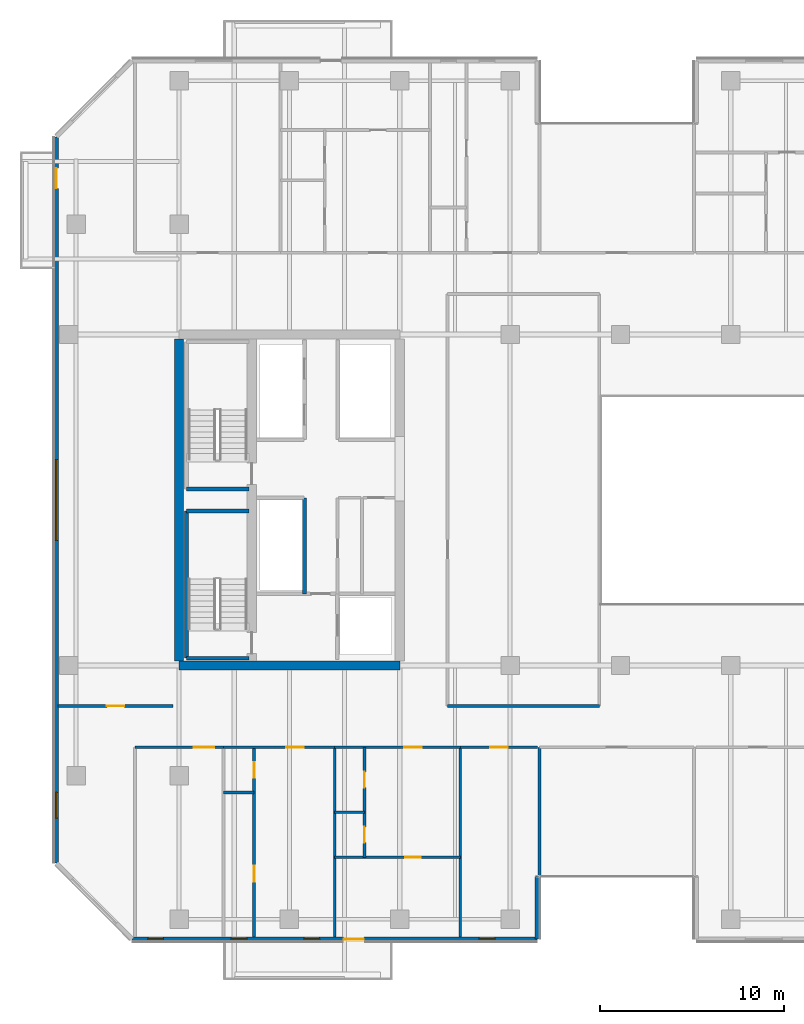
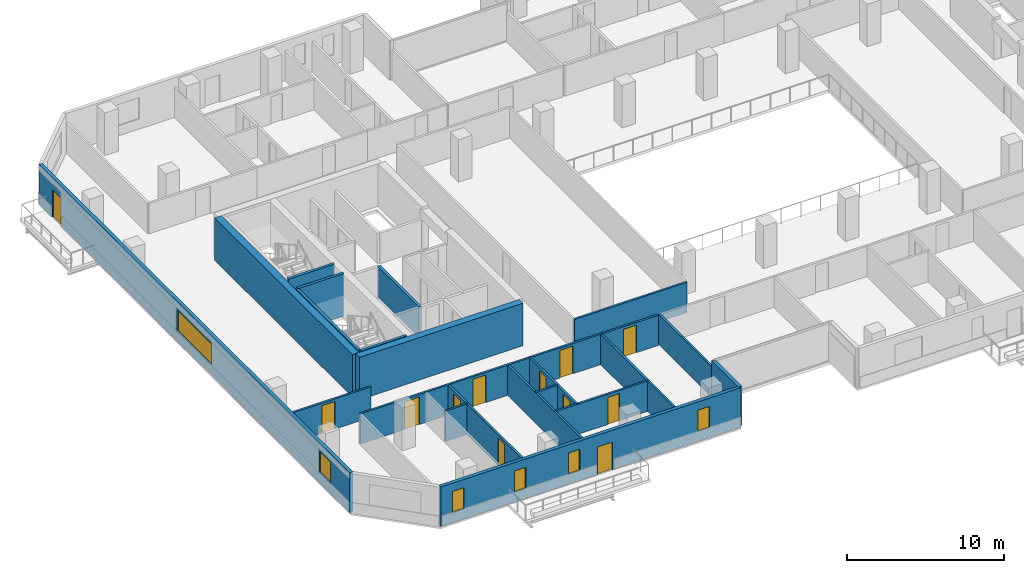
# One storey, part 10 of 23: 24 walls, 12 doors, 6 windows, 18 openings.
"""IFC4 building model written with IfcOpenShell, lengths in metres."""

from ifc_helpers import new_model, si_unit, direction, frame, frame_2d, origin, place, context, subcontext, project, spatial, rectangle, extrude, material, layer, layer_set, type_object, element, fill, save


model = new_model("IFC4")

# Units and contexts
model_context = context("Model", 3, precision=1e-05, world=origin(), true_north=direction((0.0, 1.0)))
body_context = subcontext(model_context, "Body", "Model", "MODEL_VIEW")
ifc_project = project(units=[si_unit("LENGTHUNIT", "METRE"), si_unit("AREAUNIT", "SQUARE_METRE"), si_unit("VOLUMEUNIT", "CUBIC_METRE"), si_unit("PLANEANGLEUNIT", "RADIAN"), si_unit("MASSUNIT", "GRAM", prefix="KILO")], contexts=[model_context])

# Site, building, storey
site_placement = place(None, origin())
site = spatial("IfcSite", under=ifc_project, at=site_placement, CompositionType="ELEMENT")
building_placement = place(site_placement, origin())
building = spatial("IfcBuilding", under=site, at=building_placement, Name="Tanjung Sevakor Pilgrim Tower", CompositionType="ELEMENT")
storey_placement = place(building_placement, frame((0.0, 0.0, 82.169921875)))
storey = spatial("IfcBuildingStorey", under=building, at=storey_placement, Name="L22", CompositionType="ELEMENT", Elevation=82.169921875)

# Walls
ifc_material_1 = material(Name="Concrete C60/75", Category="concrete")
ifc_layer_1 = layer(ifc_material_1, 0.5)
ifc_layer_set_1 = layer_set([ifc_layer_1], Name="WALL-CW-500")
wall_type_1 = type_object("IfcWallType", Name="WALL-CW-500", PredefinedType="SHEAR", material=ifc_layer_set_1)
wall_1_placement = place(storey_placement, frame((24.0, 24.60009765625, 0.0), z_axis=(0.0, 0.0, 1.0), x_axis=(1.0, 0.0, 0.0)))
element("IfcWall", 1, at=wall_1_placement, inside=storey, type_object=wall_type_1, Name="L22 W Core South Shear Wall", PredefinedType="SHEAR", context=body_context, shape_type="SweptSolid", body=[
    extrude(rectangle(XDim=12.0, YDim=0.5, at=frame_2d((6.0, 0.0))), origin(), (0.0, 0.0, 1.0), 3.300048828125),
])
wall_2_placement = place(storey_placement, frame((24.0, 24.85009765625, 0.0), z_axis=(0.0, 0.0, 1.0), x_axis=(0.0, 1.0, 0.0)))
element("IfcWall", 2, at=wall_2_placement, inside=storey, type_object=wall_type_1, Name="L22 W Core Outer Shear Wall", PredefinedType="SHEAR", context=body_context, shape_type="SweptSolid", body=[
    extrude(rectangle(XDim=17.5, YDim=0.5, at=frame_2d((8.75, 0.0))), origin(), (0.0, 0.0, 1.0), 3.300048828125),
])
ifc_material_2 = material(Name="Concrete C40/50", Category="concrete")
ifc_layer_2 = layer(ifc_material_2, 0.14990234375)
ifc_layer_set_2 = layer_set([ifc_layer_2], Name="WT-COMP-150")
wall_type_2 = type_object("IfcWallType", Name="WT-COMP-150", PredefinedType="SOLIDWALL", material=ifc_layer_set_2)
wall_3_placement = place(storey_placement, frame((38.60009765625, 22.39990234375, 0.0), z_axis=(0.0, 0.0, 1.0), x_axis=(1.0, 0.0, 0.0)))
element("IfcWall", 3, at=wall_3_placement, inside=storey, type_object=wall_type_2, Name="L22 Partition IW-L22-025", PredefinedType="SOLIDWALL", context=body_context, shape_type="SweptSolid", body=[
    extrude(rectangle(XDim=8.25, YDim=0.14990234375, at=frame_2d((4.125, 0.0))), origin(), (0.0, 0.0, 1.0), 2.35009765625),
])

# Wall, opening, door
wall_4_placement = place(storey_placement, frame((17.409912109375, 22.39990234375, 0.0), z_axis=(0.0, 0.0, 1.0), x_axis=(1.0, 0.0, 0.0)))
wall_4 = element("IfcWall", 4, at=wall_4_placement, inside=storey, type_object=wall_type_2, Name="L22 Partition IW-L22-033", PredefinedType="SOLIDWALL", context=body_context, shape_type="SweptSolid", body=[
    extrude(rectangle(XDim=6.27001953125, YDim=0.14990234375, at=frame_2d((3.135009765625, 0.0))), origin(), (0.0, 0.0, 1.0), 2.35009765625),
])
opening_1_placement = place(wall_4_placement, frame((2.659912109375, 0.0, 0.0)))
opening_1 = element("IfcOpeningElement", 5, at=opening_1_placement, cuts=wall_4, Name="Opening ID-FD2", PredefinedType="OPENING", context=body_context, shape_type="SweptSolid", body=[
    extrude(rectangle(XDim=0.949951171875, YDim=2.14990234375, at=frame_2d((0.47509765625, 1.074951171875))), frame((0.0, 0.0849609375, 0.0), z_axis=(0.0, -1.0, 0.0), x_axis=(1.0, 0.0, 0.0)), (0.0, 0.0, 1.0), 0.169921875),
])
ifc_material_3 = material(Name="Fire-Rated Timber", Category="wood")
door_type_1 = type_object("IfcDoorType", Name="DT-FIRE-950", OperationType="NOTDEFINED", PredefinedType="DOOR", material=ifc_material_3)
door_1_placement = place(opening_1_placement, origin())
door_1 = element("IfcDoor", 6, at=door_1_placement, inside=storey, type_object=door_type_1, Name="Study Room Entrance", OperationType="SINGLE_SWING_LEFT", OverallHeight=2.14990234375, OverallWidth=0.949951171875, PredefinedType="DOOR", context=body_context, shape_type="SweptSolid", body=[
    extrude(rectangle(XDim=0.949951171875, YDim=2.14990234375, at=frame_2d((0.47509765625, 1.074951171875))), frame((0.0, 0.02490234375, 0.0), z_axis=(0.0, -1.0, 0.0), x_axis=(1.0, 0.0, 0.0)), (0.0, 0.0, 1.0), 0.050048828125),
])
fill(opening_1, door_1)

# Wall
wall_5_placement = place(storey_placement, frame((43.60009765625, 9.85009765625, 0.0), z_axis=(0.0, 0.0, 1.0), x_axis=(0.0, 1.0, 0.0)))
element("IfcWall", 7, at=wall_5_placement, inside=storey, type_object=wall_type_2, Name="L22 Partition IW-L22-042", PredefinedType="SOLIDWALL", context=body_context, shape_type="SweptSolid", body=[
    extrude(rectangle(XDim=10.2998046875, YDim=0.14990234375, at=frame_2d((5.14990234375, 0.0))), origin(), (0.0, 0.0, 1.0), 2.35009765625),
])

# Wall, opening, door
wall_6_placement = place(storey_placement, frame((21.60009765625, 20.14990234375, 0.0), z_axis=(0.0, 0.0, 1.0), x_axis=(1.0, 0.0, 0.0)))
wall_6 = element("IfcWall", 8, at=wall_6_placement, inside=storey, type_object=wall_type_2, Name="L22 Partition IW-L22-049", PredefinedType="SOLIDWALL", context=body_context, shape_type="SweptSolid", body=[
    extrude(rectangle(XDim=4.810302734375, YDim=0.14990234375, at=frame_2d((2.4052734375, 0.0))), origin(), (0.0, 0.0, 1.0), 2.35009765625),
])
opening_2_placement = place(wall_6_placement, frame((3.205078125, 0.0, 0.0)))
opening_2 = element("IfcOpeningElement", 9, at=opening_2_placement, cuts=wall_6, Name="Opening ID-FD0", PredefinedType="OPENING", context=body_context, shape_type="SweptSolid", body=[
    extrude(rectangle(XDim=1.10009765625, YDim=2.14990234375, at=frame_2d((0.550048828125, 1.074951171875))), frame((0.0, 0.0849609375, 0.0), z_axis=(0.0, -1.0, 0.0), x_axis=(1.0, 0.0, 0.0)), (0.0, 0.0, 1.0), 0.169921875),
])
ifc_material_4 = material(Name="Fire-Rated Steel S355J2", Category="steel")
door_type_2 = type_object("IfcDoorType", Name="DT-FIRE-1100", OperationType="NOTDEFINED", PredefinedType="DOOR", material=ifc_material_4)
door_2_placement = place(opening_2_placement, origin())
door_2 = element("IfcDoor", 10, at=door_2_placement, inside=storey, type_object=door_type_2, Name="Communal Lounge Door", OperationType="SINGLE_SWING_LEFT", OverallHeight=2.14990234375, OverallWidth=1.10009765625, PredefinedType="DOOR", context=body_context, shape_type="SweptSolid", body=[
    extrude(rectangle(XDim=1.10009765625, YDim=2.14990234375, at=frame_2d((0.550048828125, 1.074951171875))), frame((0.0, 0.02490234375, 0.0), z_axis=(0.0, -1.0, 0.0), x_axis=(1.0, 0.0, 0.0)), (0.0, 0.0, 1.0), 0.050048828125),
])
fill(opening_2, door_2)

# Wall
wall_7_placement = place(storey_placement, frame((32.46240234375, 9.85009765625, 0.0), z_axis=(0.0, 0.0, 1.0), x_axis=(0.0, 1.0, 0.0)))
element("IfcWall", 11, at=wall_7_placement, inside=storey, type_object=wall_type_2, Name="L22 Partition IW-L22-050", PredefinedType="SOLIDWALL", context=body_context, shape_type="SweptSolid", body=[
    extrude(rectangle(XDim=10.2998046875, YDim=0.14990234375, at=frame_2d((5.14990234375, 0.0))), origin(), (0.0, 0.0, 1.0), 2.35009765625),
])

# Wall, opening, door
wall_8_placement = place(storey_placement, frame((26.410400390625, 20.14990234375, 0.0), z_axis=(0.0, 0.0, 1.0), x_axis=(1.0, 0.0, 0.0)))
wall_8 = element("IfcWall", 12, at=wall_8_placement, inside=storey, type_object=wall_type_2, Name="L22 Partition IW-L22-053", PredefinedType="SOLIDWALL", context=body_context, shape_type="SweptSolid", body=[
    extrude(rectangle(XDim=6.052001953125, YDim=0.14990234375, at=frame_2d((3.02587890625, 0.0))), origin(), (0.0, 0.0, 1.0), 2.35009765625),
])
opening_3_placement = place(wall_8_placement, frame((3.42578125, 0.0, 0.0)))
opening_3 = element("IfcOpeningElement", 13, at=opening_3_placement, cuts=wall_8, Name="Opening ID-FD2", PredefinedType="OPENING", context=body_context, shape_type="SweptSolid", body=[
    extrude(rectangle(XDim=0.949951171875, YDim=2.14990234375, at=frame_2d((0.47509765625, 1.074951171875))), frame((0.0, 0.0849609375, 0.0), z_axis=(0.0, -1.0, 0.0), x_axis=(1.0, 0.0, 0.0)), (0.0, 0.0, 1.0), 0.169921875),
])
door_3_placement = place(opening_3_placement, origin())
door_3 = element("IfcDoor", 14, at=door_3_placement, inside=storey, type_object=door_type_1, Name="Hostel Quad Entrance", OperationType="SINGLE_SWING_RIGHT", OverallHeight=2.14990234375, OverallWidth=0.949951171875, PredefinedType="DOOR", context=body_context, shape_type="SweptSolid", body=[
    extrude(rectangle(XDim=0.949951171875, YDim=2.14990234375, at=frame_2d((0.47509765625, 1.074951171875))), frame((0.0, 0.02490234375, 0.0), z_axis=(0.0, -1.0, 0.0), x_axis=(1.0, 0.0, 0.0)), (0.0, 0.0, 1.0), 0.050048828125),
])
fill(opening_3, door_3)

# Wall
wall_9_placement = place(storey_placement, frame((39.290283203125, 9.85009765625, 0.0), z_axis=(0.0, 0.0, 1.0), x_axis=(0.0, 1.0, 0.0)))
element("IfcWall", 15, at=wall_9_placement, inside=storey, type_object=wall_type_2, Name="L22 Partition IW-L22-054", PredefinedType="SOLIDWALL", context=body_context, shape_type="SweptSolid", body=[
    extrude(rectangle(XDim=10.2998046875, YDim=0.14990234375, at=frame_2d((5.14990234375, 0.0))), origin(), (0.0, 0.0, 1.0), 2.35009765625),
])

# Wall, opening, door
wall_10_placement = place(storey_placement, frame((32.46240234375, 20.14990234375, 0.0), z_axis=(0.0, 0.0, 1.0), x_axis=(1.0, 0.0, 0.0)))
wall_10 = element("IfcWall", 16, at=wall_10_placement, inside=storey, type_object=wall_type_2, Name="L22 Partition IW-L22-058", PredefinedType="SOLIDWALL", context=body_context, shape_type="SweptSolid", body=[
    extrude(rectangle(XDim=6.827880859375, YDim=0.14990234375, at=frame_2d((3.4140625, 0.0))), origin(), (0.0, 0.0, 1.0), 2.35009765625),
])
opening_4_placement = place(wall_10_placement, frame((3.78759765625, 0.0, 0.0)))
opening_4 = element("IfcOpeningElement", 17, at=opening_4_placement, cuts=wall_10, Name="Opening ID-FD2", PredefinedType="OPENING", context=body_context, shape_type="SweptSolid", body=[
    extrude(rectangle(XDim=0.949951171875, YDim=2.14990234375, at=frame_2d((0.47509765625, 1.074951171875))), frame((0.0, 0.0849609375, 0.0), z_axis=(0.0, -1.0, 0.0), x_axis=(1.0, 0.0, 0.0)), (0.0, 0.0, 1.0), 0.169921875),
])
door_4_placement = place(opening_4_placement, origin())
door_4 = element("IfcDoor", 18, at=door_4_placement, inside=storey, type_object=door_type_1, Name="Residence Entrance", OperationType="SINGLE_SWING_RIGHT", OverallHeight=2.14990234375, OverallWidth=0.949951171875, PredefinedType="DOOR", context=body_context, shape_type="SweptSolid", body=[
    extrude(rectangle(XDim=0.949951171875, YDim=2.14990234375, at=frame_2d((0.47509765625, 1.074951171875))), frame((0.0, 0.02490234375, 0.0), z_axis=(0.0, -1.0, 0.0), x_axis=(1.0, 0.0, 0.0)), (0.0, 0.0, 1.0), 0.050048828125),
])
fill(opening_4, door_4)

wall_11_placement = place(storey_placement, frame((39.290283203125, 20.14990234375, 0.0), z_axis=(0.0, 0.0, 1.0), x_axis=(1.0, 0.0, 0.0)))
wall_11 = element("IfcWall", 19, at=wall_11_placement, inside=storey, type_object=wall_type_2, Name="L22 Partition IW-L22-059", PredefinedType="SOLIDWALL", context=body_context, shape_type="SweptSolid", body=[
    extrude(rectangle(XDim=4.189697265625, YDim=0.14990234375, at=frame_2d((2.0947265625, 0.0))), origin(), (0.0, 0.0, 1.0), 2.35009765625),
])
opening_5_placement = place(wall_11_placement, frame((1.619873046875, 0.0, 0.0)))
opening_5 = element("IfcOpeningElement", 20, at=opening_5_placement, cuts=wall_11, Name="Opening ID-FD2", PredefinedType="OPENING", context=body_context, shape_type="SweptSolid", body=[
    extrude(rectangle(XDim=0.949951171875, YDim=2.14990234375, at=frame_2d((0.47509765625, 1.074951171875))), frame((0.0, 0.0849609375, 0.0), z_axis=(0.0, -1.0, 0.0), x_axis=(1.0, 0.0, 0.0)), (0.0, 0.0, 1.0), 0.169921875),
])
door_5_placement = place(opening_5_placement, origin())
door_5 = element("IfcDoor", 21, at=door_5_placement, inside=storey, type_object=door_type_1, Name="Study Room Entrance", OperationType="SINGLE_SWING_LEFT", OverallHeight=2.14990234375, OverallWidth=0.949951171875, PredefinedType="DOOR", context=body_context, shape_type="SweptSolid", body=[
    extrude(rectangle(XDim=0.949951171875, YDim=2.14990234375, at=frame_2d((0.47509765625, 1.074951171875))), frame((0.0, 0.02490234375, 0.0), z_axis=(0.0, -1.0, 0.0), x_axis=(1.0, 0.0, 0.0)), (0.0, 0.0, 1.0), 0.050048828125),
])
fill(opening_5, door_5)

# Wall, openings, door, windows
ifc_material_5 = material(Name="Precast concrete C45/55", Category="concrete")
ifc_layer_3 = layer(ifc_material_5, 0.25)
ifc_layer_set_3 = layer_set([ifc_layer_3], Name="WT-EW-STN3")
wall_type_3 = type_object("IfcWallType", Name="WT-EW-STN3", PredefinedType="SOLIDWALL", material=ifc_layer_set_3)
wall_12_placement = place(storey_placement, frame((21.451904296875, 9.72509765625, 0.0), z_axis=(0.0, 0.0, 1.0), x_axis=(1.0, 0.0, 0.0)))
wall_12 = element("IfcWall", 22, at=wall_12_placement, inside=storey, type_object=wall_type_3, Name="L22 MAIN Exterior Wall 1", PredefinedType="SOLIDWALL", context=body_context, shape_type="SweptSolid", body=[
    extrude(rectangle(XDim=22.023193359375, YDim=0.25, at=frame_2d((11.01171875, 0.0))), origin(), (0.0, 0.0, 1.0), 3.080078125),
])
opening_6_placement = place(wall_12_placement, frame((11.498291015625, 0.0, 0.0)))
opening_6 = element("IfcOpeningElement", 23, at=opening_6_placement, cuts=wall_12, Name="Opening ED-BAL-1100", PredefinedType="OPENING", context=body_context, shape_type="SweptSolid", body=[
    extrude(rectangle(XDim=1.10009765625, YDim=2.14990234375, at=frame_2d((0.550048828125, 1.074951171875))), frame((0.0, 0.135009765625, 0.0), z_axis=(0.0, -1.0, 0.0), x_axis=(1.0, 0.0, 0.0)), (0.0, 0.0, 1.0), 0.27001953125),
])
opening_7_placement = place(wall_12_placement, frame((0.848388671875, 0.0, 0.780029296875)))
opening_7 = element("IfcOpeningElement", 24, at=opening_7_placement, cuts=wall_12, Name="Opening WN-SLM", PredefinedType="OPENING", context=body_context, shape_type="SweptSolid", body=[
    extrude(rectangle(XDim=0.85009765625, YDim=1.64990234375, at=frame_2d((0.425048828125, 0.824951171875))), frame((0.0, 0.135009765625, 0.0), z_axis=(0.0, -1.0, 0.0), x_axis=(1.0, 0.0, 0.0)), (0.0, 0.0, 1.0), 0.27001953125),
])
opening_8_placement = place(wall_12_placement, frame((5.37841796875, 0.0, 0.780029296875)))
opening_8 = element("IfcOpeningElement", 25, at=opening_8_placement, cuts=wall_12, Name="Opening WN-SLM", PredefinedType="OPENING", context=body_context, shape_type="SweptSolid", body=[
    extrude(rectangle(XDim=0.85009765625, YDim=1.64990234375, at=frame_2d((0.425048828125, 0.824951171875))), frame((0.0, 0.135009765625, 0.0), z_axis=(0.0, -1.0, 0.0), x_axis=(1.0, 0.0, 0.0)), (0.0, 0.0, 1.0), 0.27001953125),
])
opening_9_placement = place(wall_12_placement, frame((9.344482421875, 0.0, 0.780029296875)))
opening_9 = element("IfcOpeningElement", 26, at=opening_9_placement, cuts=wall_12, Name="Opening WN-SLM", PredefinedType="OPENING", context=body_context, shape_type="SweptSolid", body=[
    extrude(rectangle(XDim=0.85009765625, YDim=1.64990234375, at=frame_2d((0.425048828125, 0.824951171875))), frame((0.0, 0.135009765625, 0.0), z_axis=(0.0, -1.0, 0.0), x_axis=(1.0, 0.0, 0.0)), (0.0, 0.0, 1.0), 0.27001953125),
])
opening_10_placement = place(wall_12_placement, frame((18.868408203125, 0.0, 0.780029296875)))
opening_10 = element("IfcOpeningElement", 27, at=opening_10_placement, cuts=wall_12, Name="Opening WN-SLM", PredefinedType="OPENING", context=body_context, shape_type="SweptSolid", body=[
    extrude(rectangle(XDim=0.85009765625, YDim=1.64990234375, at=frame_2d((0.425048828125, 0.824951171875))), frame((0.0, 0.135009765625, 0.0), z_axis=(0.0, -1.0, 0.0), x_axis=(1.0, 0.0, 0.0)), (0.0, 0.0, 1.0), 0.27001953125),
])
ifc_material_6 = material(Name="Anodised Aluminium and Laminated Glass", Category="aluminium")
door_type_3 = type_object("IfcDoorType", Name="DTYP-ED-BAL-1100", OperationType="NOTDEFINED", PredefinedType="DOOR", material=ifc_material_6)
door_6_placement = place(opening_6_placement, frame((1.10009765625, 0.0, 0.0), z_axis=(0.0, 0.0, 1.0), x_axis=(-1.0, 0.0, 0.0)))
door_6 = element("IfcDoor", 28, at=door_6_placement, inside=storey, type_object=door_type_3, Name="L22 Balcony Door MAIN-S1", OperationType="SINGLE_SWING_RIGHT", OverallHeight=2.14990234375, OverallWidth=1.10009765625, PredefinedType="DOOR", context=body_context, shape_type="SweptSolid", body=[
    extrude(rectangle(XDim=1.10009765625, YDim=2.14990234375, at=frame_2d((0.550048828125, 1.074951171875))), frame((0.0, 0.02490234375, 0.0), z_axis=(0.0, -1.0, 0.0), x_axis=(1.0, 0.0, 0.0)), (0.0, 0.0, 1.0), 0.050048828125),
])
fill(opening_6, door_6)
ifc_material_7 = material(Name="Thermally Broken Aluminium and Low-E Glass", Category="aluminium")
window_type_1 = type_object("IfcWindowType", Name="WTYP-WN-SLM", PartitioningType="SINGLE_PANEL", PredefinedType="WINDOW", material=ifc_material_7)
window_1_placement = place(opening_7_placement, origin())
window_1 = element("IfcWindow", 29, at=window_1_placement, inside=storey, type_object=window_type_1, Name="L22 Facade Window 01", OverallHeight=1.64990234375, OverallWidth=0.85009765625, PartitioningType="SINGLE_PANEL", PredefinedType="WINDOW", context=body_context, shape_type="SweptSolid", body=[
    extrude(rectangle(XDim=0.85009765625, YDim=1.64990234375, at=frame_2d((0.425048828125, 0.824951171875))), frame((0.0, 0.030029296875, 0.0), z_axis=(0.0, -1.0, 0.0), x_axis=(1.0, 0.0, 0.0)), (0.0, 0.0, 1.0), 0.06005859375),
])
fill(opening_7, window_1)
window_2_placement = place(opening_8_placement, origin())
window_2 = element("IfcWindow", 30, at=window_2_placement, inside=storey, type_object=window_type_1, Name="L22 Facade Window 02", OverallHeight=1.64990234375, OverallWidth=0.85009765625, PartitioningType="SINGLE_PANEL", PredefinedType="WINDOW", context=body_context, shape_type="SweptSolid", body=[
    extrude(rectangle(XDim=0.85009765625, YDim=1.64990234375, at=frame_2d((0.425048828125, 0.824951171875))), frame((0.0, 0.030029296875, 0.0), z_axis=(0.0, -1.0, 0.0), x_axis=(1.0, 0.0, 0.0)), (0.0, 0.0, 1.0), 0.06005859375),
])
fill(opening_8, window_2)
window_3_placement = place(opening_9_placement, origin())
window_3 = element("IfcWindow", 31, at=window_3_placement, inside=storey, type_object=window_type_1, Name="L22 Facade Window 03", OverallHeight=1.64990234375, OverallWidth=0.85009765625, PartitioningType="SINGLE_PANEL", PredefinedType="WINDOW", context=body_context, shape_type="SweptSolid", body=[
    extrude(rectangle(XDim=0.85009765625, YDim=1.64990234375, at=frame_2d((0.425048828125, 0.824951171875))), frame((0.0, 0.030029296875, 0.0), z_axis=(0.0, -1.0, 0.0), x_axis=(1.0, 0.0, 0.0)), (0.0, 0.0, 1.0), 0.06005859375),
])
fill(opening_9, window_3)
window_4_placement = place(opening_10_placement, origin())
window_4 = element("IfcWindow", 32, at=window_4_placement, inside=storey, type_object=window_type_1, Name="L22 Facade Window 04", OverallHeight=1.64990234375, OverallWidth=0.85009765625, PartitioningType="SINGLE_PANEL", PredefinedType="WINDOW", context=body_context, shape_type="SweptSolid", body=[
    extrude(rectangle(XDim=0.85009765625, YDim=1.64990234375, at=frame_2d((0.425048828125, 0.824951171875))), frame((0.0, 0.030029296875, 0.0), z_axis=(0.0, -1.0, 0.0), x_axis=(1.0, 0.0, 0.0)), (0.0, 0.0, 1.0), 0.06005859375),
])
fill(opening_10, window_4)

# Wall
wall_13_placement = place(storey_placement, frame((43.47509765625, 9.72509765625, 0.0), z_axis=(0.0, 0.0, 1.0), x_axis=(0.0, 1.0, 0.0)))
element("IfcWall", 33, at=wall_13_placement, inside=storey, type_object=wall_type_3, Name="L22 MAIN Exterior Wall 2", PredefinedType="SOLIDWALL", context=body_context, shape_type="SweptSolid", body=[
    extrude(rectangle(XDim=3.39990234375, YDim=0.25, at=frame_2d((1.699951171875, 0.0))), origin(), (0.0, 0.0, 1.0), 3.080078125),
])

# Wall, openings, door, windows
wall_14_placement = place(storey_placement, frame((17.324951171875, 53.34814453125, 0.0), z_axis=(0.0, 0.0, 1.0), x_axis=(0.0, -1.0, 0.0)))
wall_14 = element("IfcWall", 34, at=wall_14_placement, inside=storey, type_object=wall_type_3, Name="L22 MAIN Exterior Wall 15", PredefinedType="SOLIDWALL", context=body_context, shape_type="SweptSolid", body=[
    extrude(rectangle(XDim=39.496337890625, YDim=0.25, at=frame_2d((19.748046875, 0.0))), origin(), (0.0, 0.0, 1.0), 3.080078125),
])
opening_11_placement = place(wall_14_placement, frame((1.6982421875, 0.0, 0.0)))
opening_11 = element("IfcOpeningElement", 35, at=opening_11_placement, cuts=wall_14, Name="Opening ED-BAL-1100", PredefinedType="OPENING", context=body_context, shape_type="SweptSolid", body=[
    extrude(rectangle(XDim=1.10009765625, YDim=2.14990234375, at=frame_2d((0.550048828125, 1.074951171875))), frame((0.0, 0.135009765625, 0.0), z_axis=(0.0, -1.0, 0.0), x_axis=(1.0, 0.0, 0.0)), (0.0, 0.0, 1.0), 0.27001953125),
])
opening_12_placement = place(wall_14_placement, frame((17.548095703125, 0.0, 0.780029296875)))
opening_12 = element("IfcOpeningElement", 36, at=opening_12_placement, cuts=wall_14, Name="Opening WN-ENDW-1660", PredefinedType="OPENING", context=body_context, shape_type="SweptSolid", body=[
    extrude(rectangle(XDim=4.39990234375, YDim=1.659912109375, at=frame_2d((2.199951171875, 0.830078125))), frame((0.0, 0.135009765625, 0.0), z_axis=(0.0, -1.0, 0.0), x_axis=(1.0, 0.0, 0.0)), (0.0, 0.0, 1.0), 0.27001953125),
])
opening_13_placement = place(wall_14_placement, frame((35.642333984375, 0.0, 0.780029296875)))
opening_13 = element("IfcOpeningElement", 37, at=opening_13_placement, cuts=wall_14, Name="Opening WN-END", PredefinedType="OPENING", context=body_context, shape_type="SweptSolid", body=[
    extrude(rectangle(XDim=1.39990234375, YDim=1.64990234375, at=frame_2d((0.699951171875, 0.824951171875))), frame((0.0, 0.135009765625, 0.0), z_axis=(0.0, -1.0, 0.0), x_axis=(1.0, 0.0, 0.0)), (0.0, 0.0, 1.0), 0.27001953125),
])
door_7_placement = place(opening_11_placement, frame((1.10009765625, 0.0, 0.0), z_axis=(0.0, 0.0, 1.0), x_axis=(-1.0, 0.0, 0.0)))
door_7 = element("IfcDoor", 38, at=door_7_placement, inside=storey, type_object=door_type_3, Name="L22 West Loggia Door MAIN-W1", OperationType="SINGLE_SWING_LEFT", OverallHeight=2.14990234375, OverallWidth=1.10009765625, PredefinedType="DOOR", context=body_context, shape_type="SweptSolid", body=[
    extrude(rectangle(XDim=1.10009765625, YDim=2.14990234375, at=frame_2d((0.550048828125, 1.074951171875))), frame((0.0, 0.02490234375, 0.0), z_axis=(0.0, -1.0, 0.0), x_axis=(1.0, 0.0, 0.0)), (0.0, 0.0, 1.0), 0.050048828125),
])
fill(opening_11, door_7)
ifc_material_8 = material(Name="Thermally Broken Aluminium and Low-E Glass", Category="aluminium")
window_type_2 = type_object("IfcWindowType", Name="WTYP-WN-END", PartitioningType="SINGLE_PANEL", PredefinedType="WINDOW", material=ifc_material_8)
window_5_placement = place(opening_13_placement, origin())
window_5 = element("IfcWindow", 39, at=window_5_placement, inside=storey, type_object=window_type_2, Name="L22 Facade Window 02", OverallHeight=1.64990234375, OverallWidth=1.39990234375, PartitioningType="SINGLE_PANEL", PredefinedType="WINDOW", context=body_context, shape_type="SweptSolid", body=[
    extrude(rectangle(XDim=1.39990234375, YDim=1.64990234375, at=frame_2d((0.699951171875, 0.824951171875))), frame((0.0, 0.030029296875, 0.0), z_axis=(0.0, -1.0, 0.0), x_axis=(1.0, 0.0, 0.0)), (0.0, 0.0, 1.0), 0.06005859375),
])
fill(opening_13, window_5)
ifc_material_9 = material(Name="Thermally Broken Aluminium and Low-E Glass", Category="aluminium")
window_type_3 = type_object("IfcWindowType", Name="WTYP-WN-ENDW-1660", PartitioningType="DOUBLE_PANEL_VERTICAL", PredefinedType="WINDOW", material=ifc_material_9)
window_6_placement = place(opening_12_placement, origin())
window_6 = element("IfcWindow", 40, at=window_6_placement, inside=storey, type_object=window_type_3, Name="L22 Facade Window 01", OverallHeight=1.659912109375, OverallWidth=4.39990234375, PartitioningType="SINGLE_PANEL", PredefinedType="WINDOW", context=body_context, shape_type="SweptSolid", body=[
    extrude(rectangle(XDim=4.39990234375, YDim=1.659912109375, at=frame_2d((2.199951171875, 0.830078125))), frame((0.0, 0.030029296875, 0.0), z_axis=(0.0, -1.0, 0.0), x_axis=(1.0, 0.0, 0.0)), (0.0, 0.0, 1.0), 0.06005859375),
])
fill(opening_12, window_6)

# Walls
ifc_material_10 = material(Name="Concrete C40/50", Category="concrete")
ifc_layer_4 = layer(ifc_material_10, 0.199951171875)
ifc_layer_set_4 = layer_set([ifc_layer_4], Name="WT-FIRE-200")
wall_type_4 = type_object("IfcWallType", Name="WT-FIRE-200", PredefinedType="SOLIDWALL", material=ifc_layer_set_4)
for number, where, z_axis, x_axis, name in (
    (41, (24.39990234375, 25.0, 0.0), (0.0, 0.0, 1.0), (1.0, 0.0, 0.0), "L22 TS-W1 Shaft Wall 1"),
    (42, (27.800048828125, 33.0, 0.0), (0.0, 0.0, 1.0), (-1.0, 0.0, 0.0), "L22 TS-W1 Shaft Wall 2"),
):
    element("IfcWall", number, at=place(storey_placement, frame(where, z_axis=z_axis, x_axis=x_axis)), inside=storey, type_object=wall_type_4, Name=name, PredefinedType="SOLIDWALL", context=body_context, shape_type="SweptSolid", body=[
        extrude(rectangle(XDim=3.400146484375, YDim=0.199951171875, at=frame_2d((1.7001953125, 0.0))), origin(), (0.0, 0.0, 1.0), 3.300048828125),
    ])
wall_15_placement = place(storey_placement, frame((24.39990234375, 33.0, 0.0), z_axis=(0.0, 0.0, 1.0), x_axis=(0.0, -1.0, 0.0)))
element("IfcWall", 43, at=wall_15_placement, inside=storey, type_object=wall_type_4, Name="L22 TS-W1 Shaft Wall 3", PredefinedType="SOLIDWALL", context=body_context, shape_type="SweptSolid", body=[
    extrude(rectangle(XDim=8.0, YDim=0.199951171875, at=frame_2d((4.0, 0.0))), origin(), (0.0, 0.0, 1.0), 3.300048828125),
])
wall_16_placement = place(storey_placement, frame((24.39990234375, 34.199951171875, 0.0), z_axis=(0.0, 0.0, 1.0), x_axis=(1.0, 0.0, 0.0)))
element("IfcWall", 44, at=wall_16_placement, inside=storey, type_object=wall_type_4, Name="L22 TS-W2 Shaft Wall 1", PredefinedType="SOLIDWALL", context=body_context, shape_type="SweptSolid", body=[
    extrude(rectangle(XDim=3.400146484375, YDim=0.199951171875, at=frame_2d((1.7001953125, 0.0))), origin(), (0.0, 0.0, 1.0), 3.300048828125),
])
ifc_material_11 = material(Name="Concrete C40/50", Category="concrete")
ifc_layer_5 = layer(ifc_material_11, 0.199951171875)
ifc_layer_set_5 = layer_set([ifc_layer_5], Name="WT-FPRT-200")
wall_type_5 = type_object("IfcWallType", Name="WT-FPRT-200", PredefinedType="SOLIDWALL", material=ifc_layer_set_5)
wall_17_placement = place(storey_placement, frame((30.820068359375, 28.5, 0.0), z_axis=(0.0, 0.0, 1.0), x_axis=(0.0, 1.0, 0.0)))
element("IfcWall", 45, at=wall_17_placement, inside=storey, type_object=wall_type_5, Name="L22 Partition IW-L22-004", PredefinedType="SOLIDWALL", context=body_context, shape_type="SweptSolid", body=[
    extrude(rectangle(XDim=5.219970703125, YDim=0.199951171875, at=frame_2d((2.60986328125, 0.0))), origin(), (0.0, 0.0, 1.0), 2.35009765625),
])
ifc_material_12 = material(Name="Gypsum Board Partition", Category="gypsum board")
ifc_layer_6 = layer(ifc_material_12, 0.14990234375)
ifc_layer_set_6 = layer_set([ifc_layer_6], Name="WT-PART-150")
wall_type_6 = type_object("IfcWallType", Name="WT-PART-150", PredefinedType="PARTITIONING", material=ifc_layer_set_6)
wall_18_placement = place(storey_placement, frame((26.410400390625, 17.699951171875, 0.0), z_axis=(0.0, 0.0, 1.0), x_axis=(1.0, 0.0, 0.0)))
element("IfcWall", 46, at=wall_18_placement, inside=storey, type_object=wall_type_6, Name="L22 Partition IW-L22-051", PredefinedType="PARTITIONING", context=body_context, shape_type="SweptSolid", body=[
    extrude(rectangle(XDim=1.669677734375, YDim=0.14990234375, at=frame_2d((0.8349609375, 0.0))), origin(), (0.0, 0.0, 1.0), 2.35009765625),
])

# Wall, openings, doors
wall_19_placement = place(storey_placement, frame((28.080078125, 9.85009765625, 0.0), z_axis=(0.0, 0.0, 1.0), x_axis=(0.0, 1.0, 0.0)))
wall_19 = element("IfcWall", 47, at=wall_19_placement, inside=storey, type_object=wall_type_6, Name="L22 Partition IW-L22-052", PredefinedType="PARTITIONING", context=body_context, shape_type="SweptSolid", body=[
    extrude(rectangle(XDim=10.2998046875, YDim=0.14990234375, at=frame_2d((5.14990234375, 0.0))), origin(), (0.0, 0.0, 1.0), 2.35009765625),
])
opening_14_placement = place(wall_19_placement, frame((3.0, 0.0, 0.0)))
opening_14 = element("IfcOpeningElement", 48, at=opening_14_placement, cuts=wall_19, Name="Opening ID-WC1", PredefinedType="OPENING", context=body_context, shape_type="SweptSolid", body=[
    extrude(rectangle(XDim=0.85009765625, YDim=2.10009765625, at=frame_2d((0.425048828125, 1.050048828125))), frame((0.0, 0.0849609375, 0.0), z_axis=(0.0, -1.0, 0.0), x_axis=(1.0, 0.0, 0.0)), (0.0, 0.0, 1.0), 0.169921875),
])
opening_15_placement = place(wall_19_placement, frame((8.64990234375, 0.0, 0.0)))
opening_15 = element("IfcOpeningElement", 49, at=opening_15_placement, cuts=wall_19, Name="Opening ID-WC1", PredefinedType="OPENING", context=body_context, shape_type="SweptSolid", body=[
    extrude(rectangle(XDim=0.85009765625, YDim=2.10009765625, at=frame_2d((0.425048828125, 1.050048828125))), frame((0.0, 0.0849609375, 0.0), z_axis=(0.0, -1.0, 0.0), x_axis=(1.0, 0.0, 0.0)), (0.0, 0.0, 1.0), 0.169921875),
])
ifc_material_13 = material(Name="Moisture-Resistant Timber", Category="wood")
door_type_4 = type_object("IfcDoorType", Name="DT-INT-850", OperationType="NOTDEFINED", PredefinedType="DOOR", material=ifc_material_13)
door_8_placement = place(opening_14_placement, origin())
door_8 = element("IfcDoor", 50, at=door_8_placement, inside=storey, type_object=door_type_4, Name="Study Nook Door", OperationType="SINGLE_SWING_RIGHT", OverallHeight=2.10009765625, OverallWidth=0.85009765625, PredefinedType="DOOR", context=body_context, shape_type="SweptSolid", body=[
    extrude(rectangle(XDim=0.85009765625, YDim=2.10009765625, at=frame_2d((0.425048828125, 1.050048828125))), frame((0.0, 0.02490234375, 0.0), z_axis=(0.0, -1.0, 0.0), x_axis=(1.0, 0.0, 0.0)), (0.0, 0.0, 1.0), 0.050048828125),
])
fill(opening_14, door_8)
door_9_placement = place(opening_15_placement, origin())
door_9 = element("IfcDoor", 51, at=door_9_placement, inside=storey, type_object=door_type_4, Name="Bathroom Door", OperationType="SINGLE_SWING_LEFT", OverallHeight=2.10009765625, OverallWidth=0.85009765625, PredefinedType="DOOR", context=body_context, shape_type="SweptSolid", body=[
    extrude(rectangle(XDim=0.85009765625, YDim=2.10009765625, at=frame_2d((0.425048828125, 1.050048828125))), frame((0.0, 0.02490234375, 0.0), z_axis=(0.0, -1.0, 0.0), x_axis=(1.0, 0.0, 0.0)), (0.0, 0.0, 1.0), 0.050048828125),
])
fill(opening_15, door_9)

# Wall
wall_20_placement = place(storey_placement, frame((32.46240234375, 16.622314453125, 0.0), z_axis=(0.0, 0.0, 1.0), x_axis=(1.0, 0.0, 0.0)))
element("IfcWall", 52, at=wall_20_placement, inside=storey, type_object=wall_type_6, Name="L22 Partition IW-L22-055", PredefinedType="PARTITIONING", context=body_context, shape_type="SweptSolid", body=[
    extrude(rectangle(XDim=1.61767578125, YDim=0.14990234375, at=frame_2d((0.808837890625, 0.0))), origin(), (0.0, 0.0, 1.0), 2.35009765625),
])

# Wall, openings, doors
wall_21_placement = place(storey_placement, frame((34.080078125, 14.170654296875, 0.0), z_axis=(0.0, 0.0, 1.0), x_axis=(0.0, 1.0, 0.0)))
wall_21 = element("IfcWall", 53, at=wall_21_placement, inside=storey, type_object=wall_type_6, Name="L22 Partition IW-L22-056", PredefinedType="PARTITIONING", context=body_context, shape_type="SweptSolid", body=[
    extrude(rectangle(XDim=5.979248046875, YDim=0.14990234375, at=frame_2d((2.98974609375, 0.0))), origin(), (0.0, 0.0, 1.0), 2.35009765625),
])
opening_16_placement = place(wall_21_placement, frame((0.80078125, 0.0, 0.0)))
opening_16 = element("IfcOpeningElement", 54, at=opening_16_placement, cuts=wall_21, Name="Opening ID-WC1", PredefinedType="OPENING", context=body_context, shape_type="SweptSolid", body=[
    extrude(rectangle(XDim=0.85009765625, YDim=2.10009765625, at=frame_2d((0.425048828125, 1.050048828125))), frame((0.0, 0.0849609375, 0.0), z_axis=(0.0, -1.0, 0.0), x_axis=(1.0, 0.0, 0.0)), (0.0, 0.0, 1.0), 0.169921875),
])
opening_17_placement = place(wall_21_placement, frame((3.79052734375, 0.0, 0.0)))
opening_17 = element("IfcOpeningElement", 55, at=opening_17_placement, cuts=wall_21, Name="Opening ID-WC1", PredefinedType="OPENING", context=body_context, shape_type="SweptSolid", body=[
    extrude(rectangle(XDim=0.85009765625, YDim=2.10009765625, at=frame_2d((0.425048828125, 1.050048828125))), frame((0.0, 0.0849609375, 0.0), z_axis=(0.0, -1.0, 0.0), x_axis=(1.0, 0.0, 0.0)), (0.0, 0.0, 1.0), 0.169921875),
])
door_10_placement = place(opening_16_placement, origin())
door_10 = element("IfcDoor", 56, at=door_10_placement, inside=storey, type_object=door_type_4, Name="Residence Bathroom Door", OperationType="SINGLE_SWING_LEFT", OverallHeight=2.10009765625, OverallWidth=0.85009765625, PredefinedType="DOOR", context=body_context, shape_type="SweptSolid", body=[
    extrude(rectangle(XDim=0.85009765625, YDim=2.10009765625, at=frame_2d((0.425048828125, 1.050048828125))), frame((0.0, 0.02490234375, 0.0), z_axis=(0.0, -1.0, 0.0), x_axis=(1.0, 0.0, 0.0)), (0.0, 0.0, 1.0), 0.050048828125),
])
fill(opening_16, door_10)
door_11_placement = place(opening_17_placement, origin())
door_11 = element("IfcDoor", 57, at=door_11_placement, inside=storey, type_object=door_type_4, Name="Residence Kitchenette Door", OperationType="SINGLE_SWING_RIGHT", OverallHeight=2.10009765625, OverallWidth=0.85009765625, PredefinedType="DOOR", context=body_context, shape_type="SweptSolid", body=[
    extrude(rectangle(XDim=0.85009765625, YDim=2.10009765625, at=frame_2d((0.425048828125, 1.050048828125))), frame((0.0, 0.02490234375, 0.0), z_axis=(0.0, -1.0, 0.0), x_axis=(1.0, 0.0, 0.0)), (0.0, 0.0, 1.0), 0.050048828125),
])
fill(opening_17, door_11)

# Wall, opening, door
wall_22_placement = place(storey_placement, frame((32.46240234375, 14.170654296875, 0.0), z_axis=(0.0, 0.0, 1.0), x_axis=(1.0, 0.0, 0.0)))
wall_22 = element("IfcWall", 58, at=wall_22_placement, inside=storey, type_object=wall_type_6, Name="L22 Partition IW-L22-057", PredefinedType="PARTITIONING", context=body_context, shape_type="SweptSolid", body=[
    extrude(rectangle(XDim=6.827880859375, YDim=0.14990234375, at=frame_2d((3.4140625, 0.0))), origin(), (0.0, 0.0, 1.0), 2.35009765625),
])
opening_18_placement = place(wall_22_placement, frame((3.837646484375, 0.0, 0.0)))
opening_18 = element("IfcOpeningElement", 59, at=opening_18_placement, cuts=wall_22, Name="Opening ID-WC1", PredefinedType="OPENING", context=body_context, shape_type="SweptSolid", body=[
    extrude(rectangle(XDim=0.85009765625, YDim=2.10009765625, at=frame_2d((0.425048828125, 1.050048828125))), frame((0.0, 0.0849609375, 0.0), z_axis=(0.0, -1.0, 0.0), x_axis=(1.0, 0.0, 0.0)), (0.0, 0.0, 1.0), 0.169921875),
])
door_12_placement = place(opening_18_placement, origin())
door_12 = element("IfcDoor", 60, at=door_12_placement, inside=storey, type_object=door_type_4, Name="Residence Bedroom Door", OperationType="SINGLE_SWING_LEFT", OverallHeight=2.10009765625, OverallWidth=0.85009765625, PredefinedType="DOOR", context=body_context, shape_type="SweptSolid", body=[
    extrude(rectangle(XDim=0.85009765625, YDim=2.10009765625, at=frame_2d((0.425048828125, 1.050048828125))), frame((0.0, 0.02490234375, 0.0), z_axis=(0.0, -1.0, 0.0), x_axis=(1.0, 0.0, 0.0)), (0.0, 0.0, 1.0), 0.050048828125),
])
fill(opening_18, door_12)

save(model, "model.ifc")
